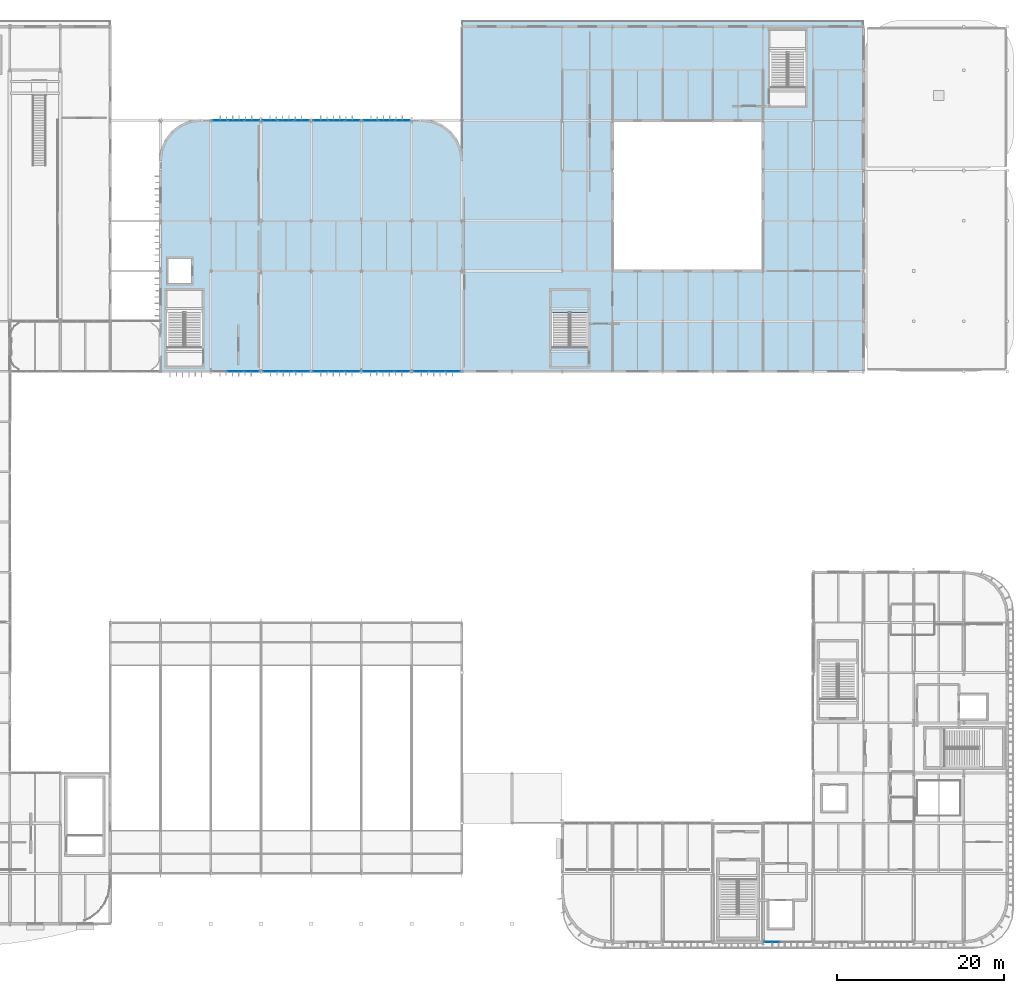
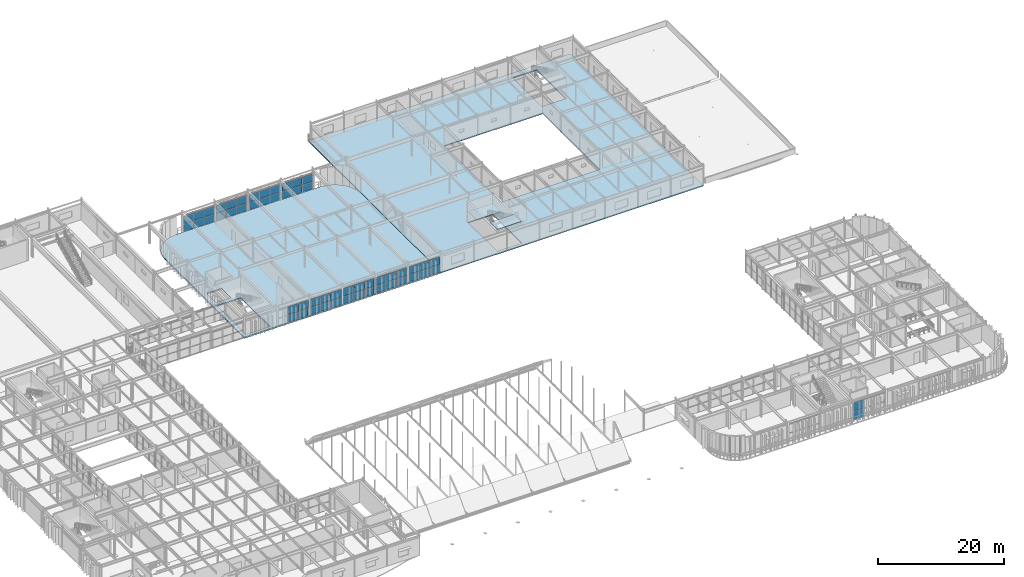
# One storey, part 81 of 116: 54 plates, 4 slabs, 11 elements without a shape of their own.
"""IFC4 building model written with IfcOpenShell, lengths in metres."""

from ifc_helpers import new_model, si_unit, direction, frame, origin, origin_2d, place, context, subcontext, project, spatial, polyline, rectangle, outline, extrude, material, layer, layer_set, type_object, element, aggregate, save


model = new_model("IFC4")

# Units and contexts
model_context = context("Model", 3, precision=1e-05, world=origin(), true_north=direction((0.0, 1.0)))
body_context = subcontext(model_context, "Body", "Model", "MODEL_VIEW")
ifc_project = project(units=[si_unit("LENGTHUNIT", "METRE"), si_unit("AREAUNIT", "SQUARE_METRE"), si_unit("VOLUMEUNIT", "CUBIC_METRE"), si_unit("PLANEANGLEUNIT", "RADIAN"), si_unit("MASSUNIT", "GRAM", prefix="KILO")], contexts=[model_context])

# Site, building, storey
site_placement = place(None, origin())
site = spatial("IfcSite", under=ifc_project, at=site_placement, CompositionType="ELEMENT")
building_placement = place(site_placement, origin())
building = spatial("IfcBuilding", under=site, at=building_placement, Name="Varnakota Square Police Headquarters", CompositionType="ELEMENT")
storey_placement = place(building_placement, frame((0.0, 0.0, 9.300048828125)))
storey = spatial("IfcBuildingStorey", under=building, at=storey_placement, Name="L02", CompositionType="ELEMENT", Elevation=9.300048828125)

# Curtain wall, plate
ifc_material_1 = material(Name="Anodised Aluminium Framing", Category="aluminium")
curtain_wall_type_1 = type_object("IfcCurtainWallType", Name="CW-SYS-B", PredefinedType="NOTDEFINED", material=ifc_material_1)
curtain_wall_1_placement = place(storey_placement, origin())
curtain_wall_1 = element("IfcCurtainWall", 1, at=curtain_wall_1_placement, inside=storey, type_object=curtain_wall_type_1, Name="Unitised curtain wall CWG-L02-067", PredefinedType="NOTDEFINED")
ifc_material_2 = material(Name="Solar-Control Laminated Double Glazing", Category="glass")
ifc_layer_1 = layer(ifc_material_2, 0.028076171875, Name="Solar-Control Laminated Double Glazing")
ifc_layer_set_1 = layer_set([ifc_layer_1], Name="Solar-Control Laminated Double Glazing")
plate_type_1 = type_object("IfcPlateType", Name="CWP-GLZ-28", PredefinedType="CURTAIN_PANEL", material=ifc_layer_set_1)
plate_1_placement = place(storey_placement, frame((133.080322265625, 0.800048828125, 0.06494140625), z_axis=(0.0, 0.0, 1.0), x_axis=(1.0, 0.0, 0.0)))
plate_1 = element("IfcPlate", 2, at=plate_1_placement, type_object=plate_type_1, Name="CWG-L02-067 panel 1.1", PredefinedType="CURTAIN_PANEL", context=body_context, shape_type="SweptSolid", body=[
    extrude(rectangle(XDim=1.810791015625, YDim=0.028076171875, at=origin_2d()), origin(), (0.0, 0.0, 1.0), 1.644287109375),
])

# Curtain wall, plates
curtain_wall_2_placement = place(storey_placement, origin())
curtain_wall_2 = element("IfcCurtainWall", 3, at=curtain_wall_2_placement, inside=storey, type_object=curtain_wall_type_1, Name="Unitised curtain wall CWG-L02-239", PredefinedType="NOTDEFINED")
plate_2_placement = place(storey_placement, frame((85.08984375, 69.0, 0.06494140625), z_axis=(0.0, 0.0, 1.0), x_axis=(1.0, 0.0, 0.0)))
plate_2 = element("IfcPlate", 4, at=plate_2_placement, type_object=plate_type_1, Name="CWG-L02-239 panel 1.1", PredefinedType="CURTAIN_PANEL", context=body_context, shape_type="SweptSolid", body=[
    extrude(rectangle(XDim=1.789794921875, YDim=0.028076171875, at=origin_2d()), origin(), (0.0, 0.0, 1.0), 1.447509765625),
])
plate_3_placement = place(storey_placement, frame((86.9609375, 69.0, 0.06494140625), z_axis=(0.0, 0.0, 1.0), x_axis=(1.0, 0.0, 0.0)))
plate_3 = element("IfcPlate", 5, at=plate_3_placement, type_object=plate_type_1, Name="CWG-L02-239 panel 2.1", PredefinedType="CURTAIN_PANEL", context=body_context, shape_type="SweptSolid", body=[
    extrude(rectangle(XDim=1.822265625, YDim=0.028076171875, at=origin_2d()), origin(), (0.0, 0.0, 1.0), 1.447509765625),
])
plate_4_placement = place(storey_placement, frame((88.83203125, 69.0, 0.06494140625), z_axis=(0.0, 0.0, 1.0), x_axis=(1.0, 0.0, 0.0)))
plate_4 = element("IfcPlate", 6, at=plate_4_placement, type_object=plate_type_1, Name="CWG-L02-239 panel 3.1", PredefinedType="CURTAIN_PANEL", context=body_context, shape_type="SweptSolid", body=[
    extrude(rectangle(XDim=1.789794921875, YDim=0.028076171875, at=origin_2d()), origin(), (0.0, 0.0, 1.0), 1.447509765625),
])

curtain_wall_type_2 = type_object("IfcCurtainWallType", Name="CW-SYS-C", PredefinedType="NOTDEFINED", material=ifc_material_1)
curtain_wall_3_placement = place(storey_placement, origin())
curtain_wall_3 = element("IfcCurtainWall", 7, at=curtain_wall_3_placement, inside=storey, type_object=curtain_wall_type_2, Name="Unitised curtain wall CWG-L02-243", PredefinedType="NOTDEFINED")
plate_5_placement = place(storey_placement, frame((79.163818359375, 99.0, 0.06494140625), z_axis=(0.0, 0.0, 1.0), x_axis=(1.0, 0.0, 0.0)))
plate_5 = element("IfcPlate", 8, at=plate_5_placement, type_object=plate_type_1, Name="CWG-L02-243 panel 1.1", PredefinedType="CURTAIN_PANEL", context=body_context, shape_type="SweptSolid", body=[
    extrude(rectangle(XDim=1.781494140625, YDim=0.028076171875, at=origin_2d()), origin(), (0.0, 0.0, 1.0), 1.447509765625),
])
plate_6_placement = place(storey_placement, frame((81.026611328125, 99.0, 0.06494140625), z_axis=(0.0, 0.0, 1.0), x_axis=(1.0, 0.0, 0.0)))
plate_6 = element("IfcPlate", 9, at=plate_6_placement, type_object=plate_type_1, Name="CWG-L02-243 panel 2.1", PredefinedType="CURTAIN_PANEL", context=body_context, shape_type="SweptSolid", body=[
    extrude(rectangle(XDim=1.81396484375, YDim=0.028076171875, at=origin_2d()), origin(), (0.0, 0.0, 1.0), 1.447509765625),
])
plate_7_placement = place(storey_placement, frame((82.889404296875, 99.0, 0.06494140625), z_axis=(0.0, 0.0, 1.0), x_axis=(1.0, 0.0, 0.0)))
plate_7 = element("IfcPlate", 10, at=plate_7_placement, type_object=plate_type_1, Name="CWG-L02-243 panel 3.1", PredefinedType="CURTAIN_PANEL", context=body_context, shape_type="SweptSolid", body=[
    extrude(rectangle(XDim=1.781494140625, YDim=0.028076171875, at=origin_2d()), origin(), (0.0, 0.0, 1.0), 1.447509765625),
])

curtain_wall_4_placement = place(storey_placement, origin())
curtain_wall_4 = element("IfcCurtainWall", 11, at=curtain_wall_4_placement, inside=storey, type_object=curtain_wall_type_1, Name="Unitised curtain wall CWG-L02-236", PredefinedType="NOTDEFINED")
ifc_material_3 = material(Name="Acoustic Laminated Double Glazing", Category="glass")
ifc_layer_2 = layer(ifc_material_3, 0.031982421875, Name="Acoustic Laminated Double Glazing")
ifc_layer_set_2 = layer_set([ifc_layer_2], Name="Acoustic Laminated Double Glazing")
plate_type_2 = type_object("IfcPlateType", Name="CWP-GLZ-32", PredefinedType="CURTAIN_PANEL", material=ifc_layer_set_2)
plate_8_placement = place(storey_placement, frame((68.9609375, 69.0, 0.06494140625), z_axis=(0.0, 0.0, 1.0), x_axis=(1.0, 0.0, 0.0)))
plate_8 = element("IfcPlate", 12, at=plate_8_placement, type_object=plate_type_2, Name="CWG-L02-236 panel 2.1", PredefinedType="CURTAIN_PANEL", context=body_context, shape_type="SweptSolid", body=[
    extrude(rectangle(XDim=1.822265625, YDim=0.031982421875, at=origin_2d()), origin(), (0.0, 0.0, 1.0), 1.447509765625),
])
plate_9_placement = place(storey_placement, frame((70.83203125, 69.0, 0.06494140625), z_axis=(0.0, 0.0, 1.0), x_axis=(1.0, 0.0, 0.0)))
plate_9 = element("IfcPlate", 13, at=plate_9_placement, type_object=plate_type_2, Name="CWG-L02-236 panel 3.1", PredefinedType="CURTAIN_PANEL", context=body_context, shape_type="SweptSolid", body=[
    extrude(rectangle(XDim=1.789794921875, YDim=0.031982421875, at=origin_2d()), origin(), (0.0, 0.0, 1.0), 1.447509765625),
])

curtain_wall_5_placement = place(storey_placement, origin())
curtain_wall_5 = element("IfcCurtainWall", 14, at=curtain_wall_5_placement, inside=storey, type_object=curtain_wall_type_1, Name="Unitised curtain wall CWG-L02-240", PredefinedType="NOTDEFINED")
plate_10_placement = place(storey_placement, frame((91.163818359375, 69.0, 0.06494140625), z_axis=(0.0, 0.0, 1.0), x_axis=(1.0, 0.0, 0.0)))
plate_10 = element("IfcPlate", 15, at=plate_10_placement, type_object=plate_type_2, Name="CWG-L02-240 panel 1.1", PredefinedType="CURTAIN_PANEL", context=body_context, shape_type="SweptSolid", body=[
    extrude(rectangle(XDim=1.781494140625, YDim=0.031982421875, at=origin_2d()), origin(), (0.0, 0.0, 1.0), 1.447509765625),
])
plate_11_placement = place(storey_placement, frame((93.026611328125, 69.0, 0.06494140625), z_axis=(0.0, 0.0, 1.0), x_axis=(1.0, 0.0, 0.0)))
plate_11 = element("IfcPlate", 16, at=plate_11_placement, type_object=plate_type_2, Name="CWG-L02-240 panel 2.1", PredefinedType="CURTAIN_PANEL", context=body_context, shape_type="SweptSolid", body=[
    extrude(rectangle(XDim=1.81396484375, YDim=0.031982421875, at=origin_2d()), origin(), (0.0, 0.0, 1.0), 1.447509765625),
])
plate_12_placement = place(storey_placement, frame((94.889404296875, 69.0, 0.06494140625), z_axis=(0.0, 0.0, 1.0), x_axis=(1.0, 0.0, 0.0)))
plate_12 = element("IfcPlate", 17, at=plate_12_placement, type_object=plate_type_2, Name="CWG-L02-240 panel 3.1", PredefinedType="CURTAIN_PANEL", context=body_context, shape_type="SweptSolid", body=[
    extrude(rectangle(XDim=1.781494140625, YDim=0.031982421875, at=origin_2d()), origin(), (0.0, 0.0, 1.0), 1.447509765625),
])

curtain_wall_6_placement = place(storey_placement, origin())
curtain_wall_6 = element("IfcCurtainWall", 18, at=curtain_wall_6_placement, inside=storey, type_object=curtain_wall_type_2, Name="Unitised curtain wall CWG-L02-244", PredefinedType="NOTDEFINED")
plate_13_placement = place(storey_placement, frame((85.123779296875, 99.0, 0.06494140625), z_axis=(0.0, 0.0, 1.0), x_axis=(1.0, 0.0, 0.0)))
plate_13 = element("IfcPlate", 19, at=plate_13_placement, type_object=plate_type_2, Name="CWG-L02-244 panel 1.1", PredefinedType="CURTAIN_PANEL", context=body_context, shape_type="SweptSolid", body=[
    extrude(rectangle(XDim=1.8076171875, YDim=0.031982421875, at=origin_2d()), origin(), (0.0, 0.0, 1.0), 1.447509765625),
])
plate_14_placement = place(storey_placement, frame((87.012451171875, 99.0, 0.06494140625), z_axis=(0.0, 0.0, 1.0), x_axis=(1.0, 0.0, 0.0)))
plate_14 = element("IfcPlate", 20, at=plate_14_placement, type_object=plate_type_2, Name="CWG-L02-244 panel 2.1", PredefinedType="CURTAIN_PANEL", context=body_context, shape_type="SweptSolid", body=[
    extrude(rectangle(XDim=1.840087890625, YDim=0.031982421875, at=origin_2d()), origin(), (0.0, 0.0, 1.0), 1.447509765625),
])
plate_15_placement = place(storey_placement, frame((88.9013671875, 99.0, 0.06494140625), z_axis=(0.0, 0.0, 1.0), x_axis=(1.0, 0.0, 0.0)))
plate_15 = element("IfcPlate", 21, at=plate_15_placement, type_object=plate_type_2, Name="CWG-L02-244 panel 3.1", PredefinedType="CURTAIN_PANEL", context=body_context, shape_type="SweptSolid", body=[
    extrude(rectangle(XDim=1.8076171875, YDim=0.031982421875, at=origin_2d()), origin(), (0.0, 0.0, 1.0), 1.447509765625),
])

curtain_wall_7_placement = place(storey_placement, origin())
curtain_wall_7 = element("IfcCurtainWall", 22, at=curtain_wall_7_placement, inside=storey, type_object=curtain_wall_type_1, Name="Unitised curtain wall CWG-L02-237", PredefinedType="NOTDEFINED")
ifc_material_4 = material(Name="Blast-Resistant Laminated Glazing", Category="glass")
ifc_layer_3 = layer(ifc_material_4, 0.035888671875, Name="Blast-Resistant Laminated Glazing")
ifc_layer_set_3 = layer_set([ifc_layer_3], Name="Blast-Resistant Laminated Glazing")
plate_type_3 = type_object("IfcPlateType", Name="CWP-GLZ-36", PredefinedType="CURTAIN_PANEL", material=ifc_layer_set_3)
plate_16_placement = place(storey_placement, frame((73.163818359375, 69.0, 0.06494140625), z_axis=(0.0, 0.0, 1.0), x_axis=(1.0, 0.0, 0.0)))
plate_16 = element("IfcPlate", 23, at=plate_16_placement, type_object=plate_type_3, Name="CWG-L02-237 panel 1.1", PredefinedType="CURTAIN_PANEL", context=body_context, shape_type="SweptSolid", body=[
    extrude(rectangle(XDim=1.781494140625, YDim=0.035888671875, at=origin_2d()), origin(), (0.0, 0.0, 1.0), 1.447509765625),
])
plate_17_placement = place(storey_placement, frame((75.026611328125, 69.0, 0.06494140625), z_axis=(0.0, 0.0, 1.0), x_axis=(1.0, 0.0, 0.0)))
plate_17 = element("IfcPlate", 24, at=plate_17_placement, type_object=plate_type_3, Name="CWG-L02-237 panel 2.1", PredefinedType="CURTAIN_PANEL", context=body_context, shape_type="SweptSolid", body=[
    extrude(rectangle(XDim=1.81396484375, YDim=0.035888671875, at=origin_2d()), origin(), (0.0, 0.0, 1.0), 1.447509765625),
])
plate_18_placement = place(storey_placement, frame((76.889404296875, 69.0, 0.06494140625), z_axis=(0.0, 0.0, 1.0), x_axis=(1.0, 0.0, 0.0)))
plate_18 = element("IfcPlate", 25, at=plate_18_placement, type_object=plate_type_3, Name="CWG-L02-237 panel 3.1", PredefinedType="CURTAIN_PANEL", context=body_context, shape_type="SweptSolid", body=[
    extrude(rectangle(XDim=1.781494140625, YDim=0.035888671875, at=origin_2d()), origin(), (0.0, 0.0, 1.0), 1.447509765625),
])

curtain_wall_8_placement = place(storey_placement, origin())
curtain_wall_8 = element("IfcCurtainWall", 26, at=curtain_wall_8_placement, inside=storey, type_object=curtain_wall_type_2, Name="Unitised curtain wall CWG-L02-241", PredefinedType="NOTDEFINED")
plate_19_placement = place(storey_placement, frame((67.123779296875, 99.0, 0.06494140625), z_axis=(0.0, 0.0, 1.0), x_axis=(1.0, 0.0, 0.0)))
plate_19 = element("IfcPlate", 27, at=plate_19_placement, type_object=plate_type_3, Name="CWG-L02-241 panel 1.1", PredefinedType="CURTAIN_PANEL", context=body_context, shape_type="SweptSolid", body=[
    extrude(rectangle(XDim=1.8076171875, YDim=0.035888671875, at=origin_2d()), origin(), (0.0, 0.0, 1.0), 1.447509765625),
])
plate_20_placement = place(storey_placement, frame((69.012451171875, 99.0, 0.06494140625), z_axis=(0.0, 0.0, 1.0), x_axis=(1.0, 0.0, 0.0)))
plate_20 = element("IfcPlate", 28, at=plate_20_placement, type_object=plate_type_3, Name="CWG-L02-241 panel 2.1", PredefinedType="CURTAIN_PANEL", context=body_context, shape_type="SweptSolid", body=[
    extrude(rectangle(XDim=1.840087890625, YDim=0.035888671875, at=origin_2d()), origin(), (0.0, 0.0, 1.0), 1.447509765625),
])
plate_21_placement = place(storey_placement, frame((70.9013671875, 99.0, 0.06494140625), z_axis=(0.0, 0.0, 1.0), x_axis=(1.0, 0.0, 0.0)))
plate_21 = element("IfcPlate", 29, at=plate_21_placement, type_object=plate_type_3, Name="CWG-L02-241 panel 3.1", PredefinedType="CURTAIN_PANEL", context=body_context, shape_type="SweptSolid", body=[
    extrude(rectangle(XDim=1.8076171875, YDim=0.035888671875, at=origin_2d()), origin(), (0.0, 0.0, 1.0), 1.447509765625),
])

curtain_wall_9_placement = place(storey_placement, origin())
curtain_wall_9 = element("IfcCurtainWall", 30, at=curtain_wall_9_placement, inside=storey, type_object=curtain_wall_type_1, Name="Unitised curtain wall CWG-L02-238", PredefinedType="NOTDEFINED")
ifc_material_5 = material(Name="Triple-Glazed Clean-Lab Vision Unit", Category="aluminium")
ifc_layer_4 = layer(ifc_material_5, 0.0419921875, Name="Triple-Glazed Clean-Lab Vision Unit")
ifc_layer_set_4 = layer_set([ifc_layer_4], Name="Triple-Glazed Clean-Lab Vision Unit")
plate_type_4 = type_object("IfcPlateType", Name="CWP-GLZ-42", PredefinedType="CURTAIN_PANEL", material=ifc_layer_set_4)
plate_22_placement = place(storey_placement, frame((79.123779296875, 69.0, 0.06494140625), z_axis=(0.0, 0.0, 1.0), x_axis=(1.0, 0.0, 0.0)))
plate_22 = element("IfcPlate", 31, at=plate_22_placement, type_object=plate_type_4, Name="CWG-L02-238 panel 1.1", PredefinedType="CURTAIN_PANEL", context=body_context, shape_type="SweptSolid", body=[
    extrude(rectangle(XDim=1.8076171875, YDim=0.0419921875, at=origin_2d()), origin(), (0.0, 0.0, 1.0), 1.447509765625),
])
plate_23_placement = place(storey_placement, frame((81.012451171875, 69.0, 0.06494140625), z_axis=(0.0, 0.0, 1.0), x_axis=(1.0, 0.0, 0.0)))
plate_23 = element("IfcPlate", 32, at=plate_23_placement, type_object=plate_type_4, Name="CWG-L02-238 panel 2.1", PredefinedType="CURTAIN_PANEL", context=body_context, shape_type="SweptSolid", body=[
    extrude(rectangle(XDim=1.840087890625, YDim=0.0419921875, at=origin_2d()), origin(), (0.0, 0.0, 1.0), 1.447509765625),
])
plate_24_placement = place(storey_placement, frame((82.9013671875, 69.0, 0.06494140625), z_axis=(0.0, 0.0, 1.0), x_axis=(1.0, 0.0, 0.0)))
plate_24 = element("IfcPlate", 33, at=plate_24_placement, type_object=plate_type_4, Name="CWG-L02-238 panel 3.1", PredefinedType="CURTAIN_PANEL", context=body_context, shape_type="SweptSolid", body=[
    extrude(rectangle(XDim=1.8076171875, YDim=0.0419921875, at=origin_2d()), origin(), (0.0, 0.0, 1.0), 1.447509765625),
])

curtain_wall_10_placement = place(storey_placement, origin())
curtain_wall_10 = element("IfcCurtainWall", 34, at=curtain_wall_10_placement, inside=storey, type_object=curtain_wall_type_2, Name="Unitised curtain wall CWG-L02-242", PredefinedType="NOTDEFINED")
plate_25_placement = place(storey_placement, frame((73.08984375, 99.0, 0.06494140625), z_axis=(0.0, 0.0, 1.0), x_axis=(1.0, 0.0, 0.0)))
plate_25 = element("IfcPlate", 35, at=plate_25_placement, type_object=plate_type_4, Name="CWG-L02-242 panel 1.1", PredefinedType="CURTAIN_PANEL", context=body_context, shape_type="SweptSolid", body=[
    extrude(rectangle(XDim=1.789794921875, YDim=0.0419921875, at=origin_2d()), origin(), (0.0, 0.0, 1.0), 1.447509765625),
])
plate_26_placement = place(storey_placement, frame((74.9609375, 99.0, 0.06494140625), z_axis=(0.0, 0.0, 1.0), x_axis=(1.0, 0.0, 0.0)))
plate_26 = element("IfcPlate", 36, at=plate_26_placement, type_object=plate_type_4, Name="CWG-L02-242 panel 2.1", PredefinedType="CURTAIN_PANEL", context=body_context, shape_type="SweptSolid", body=[
    extrude(rectangle(XDim=1.822265625, YDim=0.0419921875, at=origin_2d()), origin(), (0.0, 0.0, 1.0), 1.447509765625),
])
plate_27_placement = place(storey_placement, frame((76.83203125, 99.0, 0.06494140625), z_axis=(0.0, 0.0, 1.0), x_axis=(1.0, 0.0, 0.0)))
plate_27 = element("IfcPlate", 37, at=plate_27_placement, type_object=plate_type_4, Name="CWG-L02-242 panel 3.1", PredefinedType="CURTAIN_PANEL", context=body_context, shape_type="SweptSolid", body=[
    extrude(rectangle(XDim=1.789794921875, YDim=0.0419921875, at=origin_2d()), origin(), (0.0, 0.0, 1.0), 1.447509765625),
])

# Plate
ifc_material_6 = material(Name="Insulated Anodised Aluminium Spandrel Panel", Category="aluminium")
ifc_layer_5 = layer(ifc_material_6, 0.050048828125, Name="Insulated Anodised Aluminium Spandrel Panel")
ifc_layer_set_5 = layer_set([ifc_layer_5], Name="Insulated Anodised Aluminium Spandrel Panel")
plate_type_5 = type_object("IfcPlateType", Name="CWP-SPN-50", PredefinedType="CURTAIN_PANEL", material=ifc_layer_set_5)
plate_28_placement = place(storey_placement, frame((133.080322265625, 0.800048828125, 1.7744140625), z_axis=(0.0, 0.0, 1.0), x_axis=(1.0, 0.0, 0.0)))
plate_28 = element("IfcPlate", 38, at=plate_28_placement, type_object=plate_type_5, Name="CWG-L02-067 panel 1.2", PredefinedType="CURTAIN_PANEL", context=body_context, shape_type="SweptSolid", body=[
    extrude(rectangle(XDim=1.810791015625, YDim=0.050048828125, at=origin_2d()), origin(), (0.0, 0.0, 1.0), 1.644287109375),
])

aggregate(curtain_wall_1, [plate_1, plate_28])

plate_29_placement = place(storey_placement, frame((73.163818359375, 69.0, 1.57763671875), z_axis=(0.0, 0.0, 1.0), x_axis=(1.0, 0.0, 0.0)))
plate_29 = element("IfcPlate", 39, at=plate_29_placement, type_object=plate_type_5, Name="CWG-L02-237 panel 1.2", PredefinedType="CURTAIN_PANEL", context=body_context, shape_type="SweptSolid", body=[
    extrude(rectangle(XDim=1.781494140625, YDim=0.050048828125, at=origin_2d()), origin(), (0.0, 0.0, 1.0), 1.447509765625),
])

plate_30_placement = place(storey_placement, frame((75.026611328125, 69.0, 1.57763671875), z_axis=(0.0, 0.0, 1.0), x_axis=(1.0, 0.0, 0.0)))
plate_30 = element("IfcPlate", 40, at=plate_30_placement, type_object=plate_type_5, Name="CWG-L02-237 panel 2.2", PredefinedType="CURTAIN_PANEL", context=body_context, shape_type="SweptSolid", body=[
    extrude(rectangle(XDim=1.81396484375, YDim=0.050048828125, at=origin_2d()), origin(), (0.0, 0.0, 1.0), 1.447509765625),
])

plate_31_placement = place(storey_placement, frame((76.889404296875, 69.0, 1.57763671875), z_axis=(0.0, 0.0, 1.0), x_axis=(1.0, 0.0, 0.0)))
plate_31 = element("IfcPlate", 41, at=plate_31_placement, type_object=plate_type_5, Name="CWG-L02-237 panel 3.2", PredefinedType="CURTAIN_PANEL", context=body_context, shape_type="SweptSolid", body=[
    extrude(rectangle(XDim=1.781494140625, YDim=0.050048828125, at=origin_2d()), origin(), (0.0, 0.0, 1.0), 1.447509765625),
])

aggregate(curtain_wall_7, [plate_16, plate_29, plate_17, plate_30, plate_18, plate_31])

plate_32_placement = place(storey_placement, frame((85.08984375, 69.0, 1.57763671875), z_axis=(0.0, 0.0, 1.0), x_axis=(1.0, 0.0, 0.0)))
plate_32 = element("IfcPlate", 42, at=plate_32_placement, type_object=plate_type_5, Name="CWG-L02-239 panel 1.2", PredefinedType="CURTAIN_PANEL", context=body_context, shape_type="SweptSolid", body=[
    extrude(rectangle(XDim=1.789794921875, YDim=0.050048828125, at=origin_2d()), origin(), (0.0, 0.0, 1.0), 1.447509765625),
])

plate_33_placement = place(storey_placement, frame((86.9609375, 69.0, 1.57763671875), z_axis=(0.0, 0.0, 1.0), x_axis=(1.0, 0.0, 0.0)))
plate_33 = element("IfcPlate", 43, at=plate_33_placement, type_object=plate_type_5, Name="CWG-L02-239 panel 2.2", PredefinedType="CURTAIN_PANEL", context=body_context, shape_type="SweptSolid", body=[
    extrude(rectangle(XDim=1.822265625, YDim=0.050048828125, at=origin_2d()), origin(), (0.0, 0.0, 1.0), 1.447509765625),
])

plate_34_placement = place(storey_placement, frame((88.83203125, 69.0, 1.57763671875), z_axis=(0.0, 0.0, 1.0), x_axis=(1.0, 0.0, 0.0)))
plate_34 = element("IfcPlate", 44, at=plate_34_placement, type_object=plate_type_5, Name="CWG-L02-239 panel 3.2", PredefinedType="CURTAIN_PANEL", context=body_context, shape_type="SweptSolid", body=[
    extrude(rectangle(XDim=1.789794921875, YDim=0.050048828125, at=origin_2d()), origin(), (0.0, 0.0, 1.0), 1.447509765625),
])

aggregate(curtain_wall_2, [plate_2, plate_32, plate_3, plate_33, plate_4, plate_34])

plate_35_placement = place(storey_placement, frame((67.123779296875, 99.0, 1.57763671875), z_axis=(0.0, 0.0, 1.0), x_axis=(1.0, 0.0, 0.0)))
plate_35 = element("IfcPlate", 45, at=plate_35_placement, type_object=plate_type_5, Name="CWG-L02-241 panel 1.2", PredefinedType="CURTAIN_PANEL", context=body_context, shape_type="SweptSolid", body=[
    extrude(rectangle(XDim=1.8076171875, YDim=0.050048828125, at=origin_2d()), origin(), (0.0, 0.0, 1.0), 1.447509765625),
])

plate_36_placement = place(storey_placement, frame((69.012451171875, 99.0, 1.57763671875), z_axis=(0.0, 0.0, 1.0), x_axis=(1.0, 0.0, 0.0)))
plate_36 = element("IfcPlate", 46, at=plate_36_placement, type_object=plate_type_5, Name="CWG-L02-241 panel 2.2", PredefinedType="CURTAIN_PANEL", context=body_context, shape_type="SweptSolid", body=[
    extrude(rectangle(XDim=1.840087890625, YDim=0.050048828125, at=origin_2d()), origin(), (0.0, 0.0, 1.0), 1.447509765625),
])

plate_37_placement = place(storey_placement, frame((70.9013671875, 99.0, 1.57763671875), z_axis=(0.0, 0.0, 1.0), x_axis=(1.0, 0.0, 0.0)))
plate_37 = element("IfcPlate", 47, at=plate_37_placement, type_object=plate_type_5, Name="CWG-L02-241 panel 3.2", PredefinedType="CURTAIN_PANEL", context=body_context, shape_type="SweptSolid", body=[
    extrude(rectangle(XDim=1.8076171875, YDim=0.050048828125, at=origin_2d()), origin(), (0.0, 0.0, 1.0), 1.447509765625),
])

aggregate(curtain_wall_8, [plate_19, plate_35, plate_20, plate_36, plate_21, plate_37])

plate_38_placement = place(storey_placement, frame((79.163818359375, 99.0, 1.57763671875), z_axis=(0.0, 0.0, 1.0), x_axis=(1.0, 0.0, 0.0)))
plate_38 = element("IfcPlate", 48, at=plate_38_placement, type_object=plate_type_5, Name="CWG-L02-243 panel 1.2", PredefinedType="CURTAIN_PANEL", context=body_context, shape_type="SweptSolid", body=[
    extrude(rectangle(XDim=1.781494140625, YDim=0.050048828125, at=origin_2d()), origin(), (0.0, 0.0, 1.0), 1.447509765625),
])

plate_39_placement = place(storey_placement, frame((81.026611328125, 99.0, 1.57763671875), z_axis=(0.0, 0.0, 1.0), x_axis=(1.0, 0.0, 0.0)))
plate_39 = element("IfcPlate", 49, at=plate_39_placement, type_object=plate_type_5, Name="CWG-L02-243 panel 2.2", PredefinedType="CURTAIN_PANEL", context=body_context, shape_type="SweptSolid", body=[
    extrude(rectangle(XDim=1.81396484375, YDim=0.050048828125, at=origin_2d()), origin(), (0.0, 0.0, 1.0), 1.447509765625),
])

plate_40_placement = place(storey_placement, frame((82.889404296875, 99.0, 1.57763671875), z_axis=(0.0, 0.0, 1.0), x_axis=(1.0, 0.0, 0.0)))
plate_40 = element("IfcPlate", 50, at=plate_40_placement, type_object=plate_type_5, Name="CWG-L02-243 panel 3.2", PredefinedType="CURTAIN_PANEL", context=body_context, shape_type="SweptSolid", body=[
    extrude(rectangle(XDim=1.781494140625, YDim=0.050048828125, at=origin_2d()), origin(), (0.0, 0.0, 1.0), 1.447509765625),
])

aggregate(curtain_wall_3, [plate_5, plate_38, plate_6, plate_39, plate_7, plate_40])

ifc_material_7 = material(Name="Fire-Stopped Mineral-Wool Spandrel Panel", Category="aluminium")
ifc_layer_6 = layer(ifc_material_7, 0.06005859375, Name="Fire-Stopped Mineral-Wool Spandrel Panel")
ifc_layer_set_6 = layer_set([ifc_layer_6], Name="Fire-Stopped Mineral-Wool Spandrel Panel")
plate_type_6 = type_object("IfcPlateType", Name="CWP-SPN-60", PredefinedType="CURTAIN_PANEL", material=ifc_layer_set_6)
plate_41_placement = place(storey_placement, frame((68.9609375, 69.0, 1.57763671875), z_axis=(0.0, 0.0, 1.0), x_axis=(1.0, 0.0, 0.0)))
plate_41 = element("IfcPlate", 51, at=plate_41_placement, type_object=plate_type_6, Name="CWG-L02-236 panel 2.2", PredefinedType="CURTAIN_PANEL", context=body_context, shape_type="SweptSolid", body=[
    extrude(rectangle(XDim=1.822265625, YDim=0.06005859375, at=origin_2d()), origin(), (0.0, 0.0, 1.0), 1.447509765625),
])

plate_42_placement = place(storey_placement, frame((70.83203125, 69.0, 1.57763671875), z_axis=(0.0, 0.0, 1.0), x_axis=(1.0, 0.0, 0.0)))
plate_42 = element("IfcPlate", 52, at=plate_42_placement, type_object=plate_type_6, Name="CWG-L02-236 panel 3.2", PredefinedType="CURTAIN_PANEL", context=body_context, shape_type="SweptSolid", body=[
    extrude(rectangle(XDim=1.789794921875, YDim=0.06005859375, at=origin_2d()), origin(), (0.0, 0.0, 1.0), 1.447509765625),
])

aggregate(curtain_wall_4, [plate_8, plate_41, plate_9, plate_42])

plate_43_placement = place(storey_placement, frame((79.123779296875, 69.0, 1.57763671875), z_axis=(0.0, 0.0, 1.0), x_axis=(1.0, 0.0, 0.0)))
plate_43 = element("IfcPlate", 53, at=plate_43_placement, type_object=plate_type_6, Name="CWG-L02-238 panel 1.2", PredefinedType="CURTAIN_PANEL", context=body_context, shape_type="SweptSolid", body=[
    extrude(rectangle(XDim=1.8076171875, YDim=0.06005859375, at=origin_2d()), origin(), (0.0, 0.0, 1.0), 1.447509765625),
])

plate_44_placement = place(storey_placement, frame((81.012451171875, 69.0, 1.57763671875), z_axis=(0.0, 0.0, 1.0), x_axis=(1.0, 0.0, 0.0)))
plate_44 = element("IfcPlate", 54, at=plate_44_placement, type_object=plate_type_6, Name="CWG-L02-238 panel 2.2", PredefinedType="CURTAIN_PANEL", context=body_context, shape_type="SweptSolid", body=[
    extrude(rectangle(XDim=1.840087890625, YDim=0.06005859375, at=origin_2d()), origin(), (0.0, 0.0, 1.0), 1.447509765625),
])

plate_45_placement = place(storey_placement, frame((82.9013671875, 69.0, 1.57763671875), z_axis=(0.0, 0.0, 1.0), x_axis=(1.0, 0.0, 0.0)))
plate_45 = element("IfcPlate", 55, at=plate_45_placement, type_object=plate_type_6, Name="CWG-L02-238 panel 3.2", PredefinedType="CURTAIN_PANEL", context=body_context, shape_type="SweptSolid", body=[
    extrude(rectangle(XDim=1.8076171875, YDim=0.06005859375, at=origin_2d()), origin(), (0.0, 0.0, 1.0), 1.447509765625),
])

aggregate(curtain_wall_9, [plate_22, plate_43, plate_23, plate_44, plate_24, plate_45])

plate_46_placement = place(storey_placement, frame((91.163818359375, 69.0, 1.57763671875), z_axis=(0.0, 0.0, 1.0), x_axis=(1.0, 0.0, 0.0)))
plate_46 = element("IfcPlate", 56, at=plate_46_placement, type_object=plate_type_6, Name="CWG-L02-240 panel 1.2", PredefinedType="CURTAIN_PANEL", context=body_context, shape_type="SweptSolid", body=[
    extrude(rectangle(XDim=1.781494140625, YDim=0.06005859375, at=origin_2d()), origin(), (0.0, 0.0, 1.0), 1.447509765625),
])

plate_47_placement = place(storey_placement, frame((93.026611328125, 69.0, 1.57763671875), z_axis=(0.0, 0.0, 1.0), x_axis=(1.0, 0.0, 0.0)))
plate_47 = element("IfcPlate", 57, at=plate_47_placement, type_object=plate_type_6, Name="CWG-L02-240 panel 2.2", PredefinedType="CURTAIN_PANEL", context=body_context, shape_type="SweptSolid", body=[
    extrude(rectangle(XDim=1.81396484375, YDim=0.06005859375, at=origin_2d()), origin(), (0.0, 0.0, 1.0), 1.447509765625),
])

plate_48_placement = place(storey_placement, frame((94.889404296875, 69.0, 1.57763671875), z_axis=(0.0, 0.0, 1.0), x_axis=(1.0, 0.0, 0.0)))
plate_48 = element("IfcPlate", 58, at=plate_48_placement, type_object=plate_type_6, Name="CWG-L02-240 panel 3.2", PredefinedType="CURTAIN_PANEL", context=body_context, shape_type="SweptSolid", body=[
    extrude(rectangle(XDim=1.781494140625, YDim=0.06005859375, at=origin_2d()), origin(), (0.0, 0.0, 1.0), 1.447509765625),
])

aggregate(curtain_wall_5, [plate_10, plate_46, plate_11, plate_47, plate_12, plate_48])

plate_49_placement = place(storey_placement, frame((73.08984375, 99.0, 1.57763671875), z_axis=(0.0, 0.0, 1.0), x_axis=(1.0, 0.0, 0.0)))
plate_49 = element("IfcPlate", 59, at=plate_49_placement, type_object=plate_type_6, Name="CWG-L02-242 panel 1.2", PredefinedType="CURTAIN_PANEL", context=body_context, shape_type="SweptSolid", body=[
    extrude(rectangle(XDim=1.789794921875, YDim=0.06005859375, at=origin_2d()), origin(), (0.0, 0.0, 1.0), 1.447509765625),
])

plate_50_placement = place(storey_placement, frame((74.9609375, 99.0, 1.57763671875), z_axis=(0.0, 0.0, 1.0), x_axis=(1.0, 0.0, 0.0)))
plate_50 = element("IfcPlate", 60, at=plate_50_placement, type_object=plate_type_6, Name="CWG-L02-242 panel 2.2", PredefinedType="CURTAIN_PANEL", context=body_context, shape_type="SweptSolid", body=[
    extrude(rectangle(XDim=1.822265625, YDim=0.06005859375, at=origin_2d()), origin(), (0.0, 0.0, 1.0), 1.447509765625),
])

plate_51_placement = place(storey_placement, frame((76.83203125, 99.0, 1.57763671875), z_axis=(0.0, 0.0, 1.0), x_axis=(1.0, 0.0, 0.0)))
plate_51 = element("IfcPlate", 61, at=plate_51_placement, type_object=plate_type_6, Name="CWG-L02-242 panel 3.2", PredefinedType="CURTAIN_PANEL", context=body_context, shape_type="SweptSolid", body=[
    extrude(rectangle(XDim=1.789794921875, YDim=0.06005859375, at=origin_2d()), origin(), (0.0, 0.0, 1.0), 1.447509765625),
])

aggregate(curtain_wall_10, [plate_25, plate_49, plate_26, plate_50, plate_27, plate_51])

plate_52_placement = place(storey_placement, frame((85.123779296875, 99.0, 1.57763671875), z_axis=(0.0, 0.0, 1.0), x_axis=(1.0, 0.0, 0.0)))
plate_52 = element("IfcPlate", 62, at=plate_52_placement, type_object=plate_type_6, Name="CWG-L02-244 panel 1.2", PredefinedType="CURTAIN_PANEL", context=body_context, shape_type="SweptSolid", body=[
    extrude(rectangle(XDim=1.8076171875, YDim=0.06005859375, at=origin_2d()), origin(), (0.0, 0.0, 1.0), 1.447509765625),
])

plate_53_placement = place(storey_placement, frame((87.012451171875, 99.0, 1.57763671875), z_axis=(0.0, 0.0, 1.0), x_axis=(1.0, 0.0, 0.0)))
plate_53 = element("IfcPlate", 63, at=plate_53_placement, type_object=plate_type_6, Name="CWG-L02-244 panel 2.2", PredefinedType="CURTAIN_PANEL", context=body_context, shape_type="SweptSolid", body=[
    extrude(rectangle(XDim=1.840087890625, YDim=0.06005859375, at=origin_2d()), origin(), (0.0, 0.0, 1.0), 1.447509765625),
])

plate_54_placement = place(storey_placement, frame((88.9013671875, 99.0, 1.57763671875), z_axis=(0.0, 0.0, 1.0), x_axis=(1.0, 0.0, 0.0)))
plate_54 = element("IfcPlate", 64, at=plate_54_placement, type_object=plate_type_6, Name="CWG-L02-244 panel 3.2", PredefinedType="CURTAIN_PANEL", context=body_context, shape_type="SweptSolid", body=[
    extrude(rectangle(XDim=1.8076171875, YDim=0.06005859375, at=origin_2d()), origin(), (0.0, 0.0, 1.0), 1.447509765625),
])

aggregate(curtain_wall_6, [plate_13, plate_52, plate_14, plate_53, plate_15, plate_54])

# Slabs
ifc_material_8 = material(Name="Concrete M40", Category="concrete")
ifc_layer_7 = layer(ifc_material_8, 0.199951171875, Name="Concrete M40")
ifc_layer_set_7 = layer_set([ifc_layer_7], Name="Concrete M40")
slab_type_1 = type_object("IfcSlabType", Name="SL-COMP-200", PredefinedType="FLOOR", material=ifc_layer_set_7)
slab_1_placement = place(storey_placement, frame((0.0, 0.0, -0.199951171875)))
element("IfcSlab", 65, at=slab_1_placement, inside=storey, type_object=slab_type_1, Name="L02 Police Training Classrooms Slab", PredefinedType="FLOOR", context=body_context, shape_type="SweptSolid", body=[
    extrude(outline(polyline([(96.0, 69.0), (144.0, 69.0), (144.0, 111.0), (96.0, 111.0), (96.0, 69.0)]), holes=[polyline([(114.0, 81.0), (132.0, 81.0), (132.0, 99.0), (114.0, 99.0), (114.0, 81.0)]), polyline([(132.7548828125, 100.655029296875), (137.14501953125, 100.655029296875), (137.14501953125, 109.844970703125), (132.7548828125, 109.844970703125), (132.7548828125, 100.655029296875)]), polyline([(106.655029296875, 69.554931640625), (111.14501953125, 69.554931640625), (111.14501953125, 78.7451171875), (106.655029296875, 78.7451171875), (106.655029296875, 69.554931640625)])]), origin(), (0.0, 0.0, 1.0), 0.199951171875),
])
ifc_layer_8 = layer(ifc_material_8, 0.25, Name="Concrete M40")
ifc_layer_set_8 = layer_set([ifc_layer_8], Name="Concrete M40")
slab_type_2 = type_object("IfcSlabType", Name="SL-POD-250", PredefinedType="FLOOR", material=ifc_layer_set_8)
slab_2_placement = place(storey_placement, frame((0.0, 0.0, -0.25)))
element("IfcSlab", 66, at=slab_2_placement, inside=storey, type_object=slab_type_2, Name="L02 Tier-3 Data Centre Slab", PredefinedType="FLOOR", context=body_context, shape_type="SweptSolid", body=[
    extrude(outline(polyline([(60.0, 69.0), (96.0, 69.0), (96.0, 94.199951171875), (95.83642578125, 95.4423828125), (95.35693359375, 96.60009765625), (94.593994140625, 97.593994140625), (93.60009765625, 98.35693359375), (92.4423828125, 98.83642578125), (91.199951171875, 99.0), (64.800048828125, 99.0), (63.5576171875, 98.83642578125), (62.39990234375, 98.35693359375), (61.406005859375, 97.593994140625), (60.64306640625, 96.60009765625), (60.16357421875, 95.4423828125), (60.0, 94.199951171875), (60.0, 69.0)]), holes=[polyline([(60.655029296875, 69.554931640625), (65.044921875, 69.554931640625), (65.044921875, 78.7451171875), (60.655029296875, 78.7451171875), (60.655029296875, 69.554931640625)]), polyline([(60.9150390625, 79.514892578125), (63.68505859375, 79.514892578125), (63.68505859375, 82.485107421875), (60.9150390625, 82.485107421875), (60.9150390625, 79.514892578125)])]), origin(), (0.0, 0.0, 1.0), 0.25),
])

# Stair, slabs
stair_type = type_object("IfcStairType", Name="STR-DOG-1900", PredefinedType="USERDEFINED", material=ifc_material_8)
stair_placement = place(storey_placement, origin())
stair = element("IfcStair", 67, at=stair_placement, inside=storey, type_object=stair_type, Name="Protected exit stair ST9 (L02)", ObjectType="TWO_RETURN_STAIR", PredefinedType="USERDEFINED")
ifc_layer_9 = layer(ifc_material_8, 0.162109375, Name="Concrete M40")
ifc_layer_set_9 = layer_set([ifc_layer_9], Name="Concrete M40")
slab_type_3 = type_object("IfcSlabType", Name="SLB-LND-1900", PredefinedType="LANDING", material=ifc_layer_set_9)
slab_3_placement = place(storey_placement, frame((0.0, 0.0, 1.93798828125)))
slab_3 = element("IfcSlab", 68, at=slab_3_placement, type_object=slab_type_3, Name="ST9-L02 landing 1", PredefinedType="LANDING", context=body_context, shape_type="SweptSolid", body=[
    extrude(outline(polyline([(106.659912109375, 76.05078125), (111.139892578125, 76.05078125), (111.139892578125, 78.739990234375), (106.659912109375, 78.739990234375), (106.659912109375, 76.05078125)])), origin(), (0.0, 0.0, 1.0), 0.161865234375),
])
slab_4_placement = place(storey_placement, frame((0.0, 0.0, 4.037841796875)))
slab_4 = element("IfcSlab", 69, at=slab_4_placement, type_object=slab_type_3, Name="ST9-L02 landing 2", PredefinedType="LANDING", context=body_context, shape_type="SweptSolid", body=[
    extrude(outline(polyline([(106.659912109375, 69.56005859375), (111.139892578125, 69.56005859375), (111.139892578125, 71.85009765625), (106.659912109375, 71.85009765625), (106.659912109375, 69.56005859375)])), origin(), (0.0, 0.0, 1.0), 0.162109375),
])
aggregate(stair, [slab_3, slab_4])

save(model, "model.ifc")
